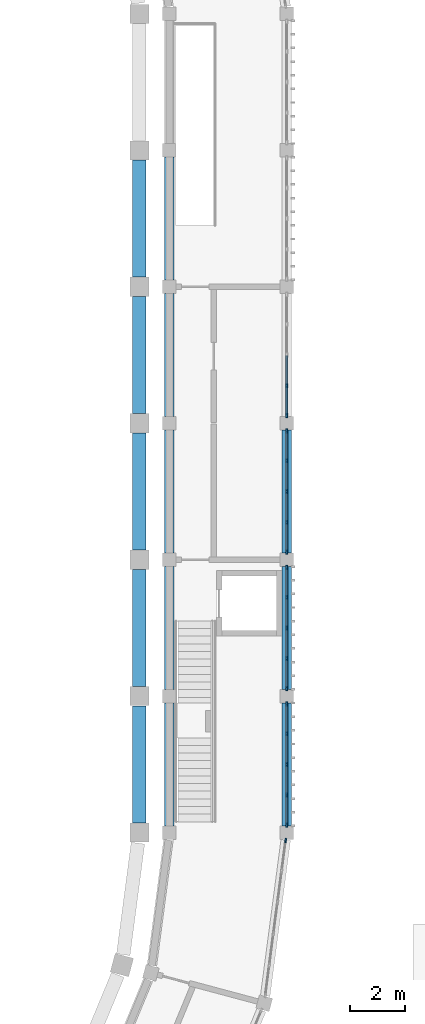
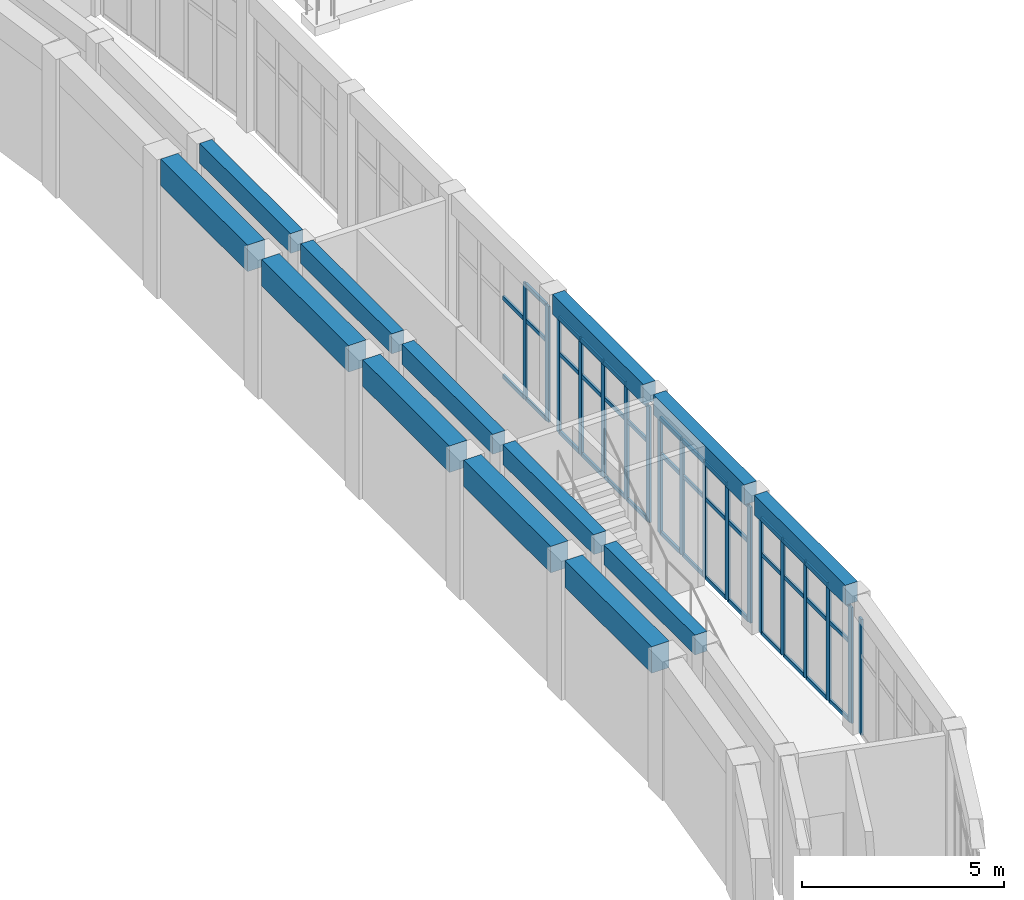
# One storey, part 12 of 99: 59 members, 13 beams, 5 elements without a shape of their own.
"""IFC4 building model written with IfcOpenShell, lengths in metres."""

from ifc_helpers import new_model, si_unit, direction, frame, origin, origin_2d, place, context, subcontext, project, spatial, rectangle, extrude, material, layer, layer_set, material_profile, profile_set, type_object, element, aggregate, save


model = new_model("IFC4")

# Units and contexts
model_context = context("Model", 3, precision=1e-05, world=origin(), true_north=direction((0.0, 1.0)))
body_context = subcontext(model_context, "Body", "Model", "MODEL_VIEW")
ifc_project = project(units=[si_unit("LENGTHUNIT", "METRE"), si_unit("AREAUNIT", "SQUARE_METRE"), si_unit("VOLUMEUNIT", "CUBIC_METRE"), si_unit("PLANEANGLEUNIT", "RADIAN"), si_unit("MASSUNIT", "GRAM", prefix="KILO")], contexts=[model_context])

# Site, building, storey
site_placement = place(None, origin())
site = spatial("IfcSite", under=ifc_project, at=site_placement, CompositionType="ELEMENT")
building_placement = place(site_placement, origin())
building = spatial("IfcBuilding", under=site, at=building_placement, Name="Wasatch Bagh Community Centre", CompositionType="ELEMENT")
storey_placement = place(building_placement, frame((0.0, 0.0, 4.199951171875)))
storey = spatial("IfcBuildingStorey", under=building, at=storey_placement, Name="L01", CompositionType="ELEMENT", Elevation=4.199951171875)

# Curtain wall, member
ifc_material_1 = material(Name="Aluminium curtain wall frame with low-iron insulated glass", Category="aluminium")
ifc_layer_1 = layer(ifc_material_1, 0.14990234375)
ifc_layer_set_1 = layer_set([ifc_layer_1], Name="Aluminium curtain wall frame with low-iron insulated glass")
curtain_wall_type_1 = type_object("IfcCurtainWallType", Name="Drum curtain wall DR-CW2", PredefinedType="NOTDEFINED", material=ifc_layer_set_1)
curtain_wall_1_placement = place(storey_placement, origin())
curtain_wall_1 = element("IfcCurtainWall", 1, at=curtain_wall_1_placement, inside=storey, type_object=curtain_wall_type_1, Name="Curtain wall DR-CW2 12", PredefinedType="NOTDEFINED")
ifc_material_2 = material(Name="Aluminium curtain wall frame", Category="aluminium")
ifc_material_profile_1 = material_profile(ifc_material_2, rectangle(XDim=0.06005859375, YDim=0.159912109375, at=origin_2d()), Name="Drum mullion DR-CW2")
ifc_profile_set_1 = profile_set([ifc_material_profile_1], Name="Aluminium curtain wall frame")
member_type_1 = type_object("IfcMemberType", Name="Drum mullion DR-CW2", PredefinedType="MULLION", material=ifc_profile_set_1)
member_1_placement = place(storey_placement, frame((60.11181640625, 34.7099609375, 0.0), z_axis=(0.0, 0.0, 1.0), x_axis=(-0.991444861378, 0.130526192185, 0.0)))
member_1 = element("IfcMember", 2, at=member_1_placement, type_object=member_type_1, Name="DR-CW2 mullion 6", PredefinedType="MULLION", context=body_context, shape_type="SweptSolid", body=[
    extrude(rectangle(XDim=0.06005859375, YDim=0.159912109375, at=origin_2d()), origin(), (0.0, 0.0, 1.0), 3.5),
])
aggregate(curtain_wall_1, [member_1])

# Curtain wall, members
ifc_layer_2 = layer(ifc_material_1, 0.14990234375)
ifc_layer_set_2 = layer_set([ifc_layer_2], Name="Aluminium curtain wall frame with low-iron insulated glass")
curtain_wall_type_2 = type_object("IfcCurtainWallType", Name="Drum curtain wall DR-CW4", PredefinedType="NOTDEFINED", material=ifc_layer_set_2)
curtain_wall_2_placement = place(storey_placement, origin())
curtain_wall_2 = element("IfcCurtainWall", 3, at=curtain_wall_2_placement, inside=storey, type_object=curtain_wall_type_2, Name="Curtain wall DR-CW4 13", PredefinedType="NOTDEFINED")
ifc_material_profile_2 = material_profile(ifc_material_2, rectangle(XDim=0.06005859375, YDim=0.159912109375, at=origin_2d()), Name="Drum mullion DR-CW4")
ifc_profile_set_2 = profile_set([ifc_material_profile_2], Name="Aluminium curtain wall frame")
member_type_2 = type_object("IfcMemberType", Name="Drum mullion DR-CW4", PredefinedType="MULLION", material=ifc_profile_set_2)
member_2_placement = place(storey_placement, frame((60.14990234375, 35.280517578125, 0.0), z_axis=(0.0, 0.0, 1.0), x_axis=(-1.0, 0.0, 0.0)))
member_2 = element("IfcMember", 4, at=member_2_placement, type_object=member_type_2, Name="DR-CW4 mullion 1", PredefinedType="MULLION", context=body_context, shape_type="SweptSolid", body=[
    extrude(rectangle(XDim=0.06005859375, YDim=0.159912109375, at=origin_2d()), origin(), (0.0, 0.0, 1.0), 3.5),
])
member_3_placement = place(storey_placement, frame((60.14990234375, 36.375244140625, 0.0), z_axis=(0.0, 0.0, 1.0), x_axis=(-1.0, 0.0, 0.0)))
member_3 = element("IfcMember", 5, at=member_3_placement, type_object=member_type_2, Name="DR-CW4 mullion 2", PredefinedType="MULLION", context=body_context, shape_type="SweptSolid", body=[
    extrude(rectangle(XDim=0.06005859375, YDim=0.159912109375, at=origin_2d()), origin(), (0.0, 0.0, 1.0), 3.5),
])
member_4_placement = place(storey_placement, frame((60.14990234375, 37.5, 0.0), z_axis=(0.0, 0.0, 1.0), x_axis=(-1.0, 0.0, 0.0)))
member_4 = element("IfcMember", 6, at=member_4_placement, type_object=member_type_2, Name="DR-CW4 mullion 3", PredefinedType="MULLION", context=body_context, shape_type="SweptSolid", body=[
    extrude(rectangle(XDim=0.06005859375, YDim=0.159912109375, at=origin_2d()), origin(), (0.0, 0.0, 1.0), 3.5),
])
member_5_placement = place(storey_placement, frame((60.14990234375, 38.624755859375, 0.0), z_axis=(0.0, 0.0, 1.0), x_axis=(-1.0, 0.0, 0.0)))
member_5 = element("IfcMember", 7, at=member_5_placement, type_object=member_type_2, Name="DR-CW4 mullion 4", PredefinedType="MULLION", context=body_context, shape_type="SweptSolid", body=[
    extrude(rectangle(XDim=0.06005859375, YDim=0.159912109375, at=origin_2d()), origin(), (0.0, 0.0, 1.0), 3.5),
])
member_6_placement = place(storey_placement, frame((60.14990234375, 39.719482421875, 0.0), z_axis=(0.0, 0.0, 1.0), x_axis=(-1.0, 0.0, 0.0)))
member_6 = element("IfcMember", 8, at=member_6_placement, type_object=member_type_2, Name="DR-CW4 mullion 5", PredefinedType="MULLION", context=body_context, shape_type="SweptSolid", body=[
    extrude(rectangle(XDim=0.06005859375, YDim=0.159912109375, at=origin_2d()), origin(), (0.0, 0.0, 1.0), 3.5),
])

curtain_wall_3_placement = place(storey_placement, origin())
curtain_wall_3 = element("IfcCurtainWall", 9, at=curtain_wall_3_placement, inside=storey, type_object=curtain_wall_type_2, Name="Curtain wall DR-CW4 14", PredefinedType="NOTDEFINED")
member_7_placement = place(storey_placement, frame((60.14990234375, 40.280517578125, 0.0), z_axis=(0.0, 0.0, 1.0), x_axis=(-1.0, 0.0, 0.0)))
member_7 = element("IfcMember", 10, at=member_7_placement, type_object=member_type_2, Name="DR-CW4 mullion 1", PredefinedType="MULLION", context=body_context, shape_type="SweptSolid", body=[
    extrude(rectangle(XDim=0.06005859375, YDim=0.159912109375, at=origin_2d()), origin(), (0.0, 0.0, 1.0), 3.5),
])
member_8_placement = place(storey_placement, frame((60.14990234375, 41.375244140625, 0.0), z_axis=(0.0, 0.0, 1.0), x_axis=(-1.0, 0.0, 0.0)))
member_8 = element("IfcMember", 11, at=member_8_placement, type_object=member_type_2, Name="DR-CW4 mullion 2", PredefinedType="MULLION", context=body_context, shape_type="SweptSolid", body=[
    extrude(rectangle(XDim=0.06005859375, YDim=0.159912109375, at=origin_2d()), origin(), (0.0, 0.0, 1.0), 3.5),
])
member_9_placement = place(storey_placement, frame((60.14990234375, 42.5, 0.0), z_axis=(0.0, 0.0, 1.0), x_axis=(-1.0, 0.0, 0.0)))
member_9 = element("IfcMember", 12, at=member_9_placement, type_object=member_type_2, Name="DR-CW4 mullion 3", PredefinedType="MULLION", context=body_context, shape_type="SweptSolid", body=[
    extrude(rectangle(XDim=0.06005859375, YDim=0.159912109375, at=origin_2d()), origin(), (0.0, 0.0, 1.0), 3.5),
])
member_10_placement = place(storey_placement, frame((60.14990234375, 43.624755859375, 0.0), z_axis=(0.0, 0.0, 1.0), x_axis=(-1.0, 0.0, 0.0)))
member_10 = element("IfcMember", 13, at=member_10_placement, type_object=member_type_2, Name="DR-CW4 mullion 4", PredefinedType="MULLION", context=body_context, shape_type="SweptSolid", body=[
    extrude(rectangle(XDim=0.06005859375, YDim=0.159912109375, at=origin_2d()), origin(), (0.0, 0.0, 1.0), 3.5),
])
member_11_placement = place(storey_placement, frame((60.14990234375, 44.719482421875, 0.0), z_axis=(0.0, 0.0, 1.0), x_axis=(-1.0, 0.0, 0.0)))
member_11 = element("IfcMember", 14, at=member_11_placement, type_object=member_type_2, Name="DR-CW4 mullion 5", PredefinedType="MULLION", context=body_context, shape_type="SweptSolid", body=[
    extrude(rectangle(XDim=0.06005859375, YDim=0.159912109375, at=origin_2d()), origin(), (0.0, 0.0, 1.0), 3.5),
])

curtain_wall_4_placement = place(storey_placement, origin())
curtain_wall_4 = element("IfcCurtainWall", 15, at=curtain_wall_4_placement, inside=storey, type_object=curtain_wall_type_2, Name="Curtain wall DR-CW4 15", PredefinedType="NOTDEFINED")
member_12_placement = place(storey_placement, frame((60.14990234375, 45.280517578125, 0.0), z_axis=(0.0, 0.0, 1.0), x_axis=(-1.0, 0.0, 0.0)))
member_12 = element("IfcMember", 16, at=member_12_placement, type_object=member_type_2, Name="DR-CW4 mullion 1", PredefinedType="MULLION", context=body_context, shape_type="SweptSolid", body=[
    extrude(rectangle(XDim=0.06005859375, YDim=0.159912109375, at=origin_2d()), origin(), (0.0, 0.0, 1.0), 3.5),
])
member_13_placement = place(storey_placement, frame((60.14990234375, 46.375244140625, 0.0), z_axis=(0.0, 0.0, 1.0), x_axis=(-1.0, 0.0, 0.0)))
member_13 = element("IfcMember", 17, at=member_13_placement, type_object=member_type_2, Name="DR-CW4 mullion 2", PredefinedType="MULLION", context=body_context, shape_type="SweptSolid", body=[
    extrude(rectangle(XDim=0.06005859375, YDim=0.159912109375, at=origin_2d()), origin(), (0.0, 0.0, 1.0), 3.5),
])
member_14_placement = place(storey_placement, frame((60.14990234375, 47.5, 0.0), z_axis=(0.0, 0.0, 1.0), x_axis=(-1.0, 0.0, 0.0)))
member_14 = element("IfcMember", 18, at=member_14_placement, type_object=member_type_2, Name="DR-CW4 mullion 3", PredefinedType="MULLION", context=body_context, shape_type="SweptSolid", body=[
    extrude(rectangle(XDim=0.06005859375, YDim=0.159912109375, at=origin_2d()), origin(), (0.0, 0.0, 1.0), 3.5),
])
member_15_placement = place(storey_placement, frame((60.14990234375, 48.624755859375, 0.0), z_axis=(0.0, 0.0, 1.0), x_axis=(-1.0, 0.0, 0.0)))
member_15 = element("IfcMember", 19, at=member_15_placement, type_object=member_type_2, Name="DR-CW4 mullion 4", PredefinedType="MULLION", context=body_context, shape_type="SweptSolid", body=[
    extrude(rectangle(XDim=0.06005859375, YDim=0.159912109375, at=origin_2d()), origin(), (0.0, 0.0, 1.0), 3.5),
])
member_16_placement = place(storey_placement, frame((60.14990234375, 49.719482421875, 0.0), z_axis=(0.0, 0.0, 1.0), x_axis=(-1.0, 0.0, 0.0)))
member_16 = element("IfcMember", 20, at=member_16_placement, type_object=member_type_2, Name="DR-CW4 mullion 5", PredefinedType="MULLION", context=body_context, shape_type="SweptSolid", body=[
    extrude(rectangle(XDim=0.06005859375, YDim=0.159912109375, at=origin_2d()), origin(), (0.0, 0.0, 1.0), 3.5),
])

curtain_wall_5_placement = place(storey_placement, origin())
curtain_wall_5 = element("IfcCurtainWall", 21, at=curtain_wall_5_placement, inside=storey, type_object=curtain_wall_type_2, Name="Curtain wall DR-CW4 16", PredefinedType="NOTDEFINED")
member_17_placement = place(storey_placement, frame((60.14990234375, 50.280517578125, 0.0), z_axis=(0.0, 0.0, 1.0), x_axis=(-1.0, 0.0, 0.0)))
member_17 = element("IfcMember", 22, at=member_17_placement, type_object=member_type_2, Name="DR-CW4 mullion 1", PredefinedType="MULLION", context=body_context, shape_type="SweptSolid", body=[
    extrude(rectangle(XDim=0.06005859375, YDim=0.159912109375, at=origin_2d()), origin(), (0.0, 0.0, 1.0), 3.5),
])
member_18_placement = place(storey_placement, frame((60.14990234375, 51.375244140625, 0.0), z_axis=(0.0, 0.0, 1.0), x_axis=(-1.0, 0.0, 0.0)))
member_18 = element("IfcMember", 23, at=member_18_placement, type_object=member_type_2, Name="DR-CW4 mullion 2", PredefinedType="MULLION", context=body_context, shape_type="SweptSolid", body=[
    extrude(rectangle(XDim=0.06005859375, YDim=0.159912109375, at=origin_2d()), origin(), (0.0, 0.0, 1.0), 3.5),
])

# Beams
ifc_material_3 = material(Name="Concrete C35", Category="concrete")
ifc_material_profile_3 = material_profile(ifc_material_3, rectangle(XDim=0.35009765625, YDim=0.60009765625, at=origin_2d()), Name="RC 350x600")
ifc_profile_set_3 = profile_set([ifc_material_profile_3], Name="Concrete C35")
beam_type_1 = type_object("IfcBeamType", Name="Drum ring beam RC 350x600", PredefinedType="BEAM", material=ifc_profile_set_3)
for number, where, z_axis, x_axis, name in (
    (24, (55.85009765625, 35.25048828125, 3.900146484375), (0.0, 1.0, 0.0), (-1.0, 0.0, 0.0), "Ring beam 8.4 DI-E1-DI-E2"),
    (25, (55.85009765625, 40.25048828125, 3.900146484375), (0.0, 1.0, 0.0), (-1.0, 0.0, 0.0), "Ring beam 8.4 DI-E2-DI-E3"),
    (26, (55.85009765625, 45.25048828125, 3.900146484375), (0.0, 1.0, 0.0), (-1.0, 0.0, 0.0), "Ring beam 8.4 DI-E3-DI-E4"),
    (27, (55.85009765625, 50.25048828125, 3.900146484375), (0.0, 1.0, 0.0), (-1.0, 0.0, 0.0), "Ring beam 8.4 DI-E4-DI-E5"),
    (28, (55.85009765625, 55.25048828125, 3.900146484375), (0.0, 1.0, 0.0), (-1.0, 0.0, 0.0), "Ring beam 8.4 DI-E5-DI-E6"),
    (29, (60.14990234375, 35.25048828125, 3.900146484375), (0.0, 1.0, 0.0), (-1.0, 0.0, 0.0), "Ring beam 8.4 DO-E1-DO-E2"),
    (30, (60.14990234375, 40.25048828125, 3.900146484375), (0.0, 1.0, 0.0), (-1.0, 0.0, 0.0), "Ring beam 8.4 DO-E2-DO-E3"),
    (31, (60.14990234375, 45.25048828125, 3.900146484375), (0.0, 1.0, 0.0), (-1.0, 0.0, 0.0), "Ring beam 8.4 DO-E3-DO-E4"),
):
    element("IfcBeam", number, at=place(storey_placement, frame(where, z_axis=z_axis, x_axis=x_axis)), inside=storey, type_object=beam_type_1, Name=name, PredefinedType="BEAM", context=body_context, shape_type="SweptSolid", body=[
        extrude(rectangle(XDim=0.35009765625, YDim=0.60009765625, at=origin_2d()), origin(), (0.0, 0.0, 1.0), 4.4990234375),
    ])

# Member
ifc_material_profile_4 = material_profile(ifc_material_2, rectangle(XDim=0.06005859375, YDim=0.1201171875, at=origin_2d()), Name="Drum transom DR-CW4")
ifc_profile_set_4 = profile_set([ifc_material_profile_4], Name="Aluminium curtain wall frame")
member_type_3 = type_object("IfcMemberType", Name="Drum transom DR-CW4", PredefinedType="USERDEFINED", material=ifc_profile_set_4)
member_19_placement = place(storey_placement, frame((60.14990234375, 35.310546875, 0.030029296875), z_axis=(0.0, 1.0, 0.0), x_axis=(-1.0, 0.0, 0.0)))
member_19 = element("IfcMember", 32, at=member_19_placement, type_object=member_type_3, Name="DR-CW4 transom 1.1", ObjectType="TRANSOM", PredefinedType="USERDEFINED", context=body_context, shape_type="SweptSolid", body=[
    extrude(rectangle(XDim=0.06005859375, YDim=0.1201171875, at=origin_2d()), origin(), (0.0, 0.0, 1.0), 1.03466796875),
])

member_20_placement = place(storey_placement, frame((60.14990234375, 35.310546875, 2.400146484375), z_axis=(0.0, 1.0, 0.0), x_axis=(-1.0, 0.0, 0.0)))
member_20 = element("IfcMember", 33, at=member_20_placement, type_object=member_type_3, Name="DR-CW4 transom 1.2", ObjectType="TRANSOM", PredefinedType="USERDEFINED", context=body_context, shape_type="SweptSolid", body=[
    extrude(rectangle(XDim=0.06005859375, YDim=0.1201171875, at=origin_2d()), origin(), (0.0, 0.0, 1.0), 1.03466796875),
])

member_21_placement = place(storey_placement, frame((60.14990234375, 35.310546875, 3.469970703125), z_axis=(0.0, 1.0, 0.0), x_axis=(-1.0, 0.0, 0.0)))
member_21 = element("IfcMember", 34, at=member_21_placement, type_object=member_type_3, Name="DR-CW4 transom 1.3", ObjectType="TRANSOM", PredefinedType="USERDEFINED", context=body_context, shape_type="SweptSolid", body=[
    extrude(rectangle(XDim=0.06005859375, YDim=0.1201171875, at=origin_2d()), origin(), (0.0, 0.0, 1.0), 1.03466796875),
])

member_22_placement = place(storey_placement, frame((60.14990234375, 36.4052734375, 0.030029296875), z_axis=(0.0, 1.0, 0.0), x_axis=(-1.0, 0.0, 0.0)))
member_22 = element("IfcMember", 35, at=member_22_placement, type_object=member_type_3, Name="DR-CW4 transom 2.1", ObjectType="TRANSOM", PredefinedType="USERDEFINED", context=body_context, shape_type="SweptSolid", body=[
    extrude(rectangle(XDim=0.06005859375, YDim=0.1201171875, at=origin_2d()), origin(), (0.0, 0.0, 1.0), 1.064697265625),
])

member_23_placement = place(storey_placement, frame((60.14990234375, 36.4052734375, 2.400146484375), z_axis=(0.0, 1.0, 0.0), x_axis=(-1.0, 0.0, 0.0)))
member_23 = element("IfcMember", 36, at=member_23_placement, type_object=member_type_3, Name="DR-CW4 transom 2.2", ObjectType="TRANSOM", PredefinedType="USERDEFINED", context=body_context, shape_type="SweptSolid", body=[
    extrude(rectangle(XDim=0.06005859375, YDim=0.1201171875, at=origin_2d()), origin(), (0.0, 0.0, 1.0), 1.064697265625),
])

member_24_placement = place(storey_placement, frame((60.14990234375, 36.4052734375, 3.469970703125), z_axis=(0.0, 1.0, 0.0), x_axis=(-1.0, 0.0, 0.0)))
member_24 = element("IfcMember", 37, at=member_24_placement, type_object=member_type_3, Name="DR-CW4 transom 2.3", ObjectType="TRANSOM", PredefinedType="USERDEFINED", context=body_context, shape_type="SweptSolid", body=[
    extrude(rectangle(XDim=0.06005859375, YDim=0.1201171875, at=origin_2d()), origin(), (0.0, 0.0, 1.0), 1.064697265625),
])

member_25_placement = place(storey_placement, frame((60.14990234375, 37.530029296875, 0.030029296875), z_axis=(0.0, 1.0, 0.0), x_axis=(-1.0, 0.0, 0.0)))
member_25 = element("IfcMember", 38, at=member_25_placement, type_object=member_type_3, Name="DR-CW4 transom 3.1", ObjectType="TRANSOM", PredefinedType="USERDEFINED", context=body_context, shape_type="SweptSolid", body=[
    extrude(rectangle(XDim=0.06005859375, YDim=0.1201171875, at=origin_2d()), origin(), (0.0, 0.0, 1.0), 1.064697265625),
])

member_26_placement = place(storey_placement, frame((60.14990234375, 37.530029296875, 2.400146484375), z_axis=(0.0, 1.0, 0.0), x_axis=(-1.0, 0.0, 0.0)))
member_26 = element("IfcMember", 39, at=member_26_placement, type_object=member_type_3, Name="DR-CW4 transom 3.2", ObjectType="TRANSOM", PredefinedType="USERDEFINED", context=body_context, shape_type="SweptSolid", body=[
    extrude(rectangle(XDim=0.06005859375, YDim=0.1201171875, at=origin_2d()), origin(), (0.0, 0.0, 1.0), 1.064697265625),
])

member_27_placement = place(storey_placement, frame((60.14990234375, 37.530029296875, 3.469970703125), z_axis=(0.0, 1.0, 0.0), x_axis=(-1.0, 0.0, 0.0)))
member_27 = element("IfcMember", 40, at=member_27_placement, type_object=member_type_3, Name="DR-CW4 transom 3.3", ObjectType="TRANSOM", PredefinedType="USERDEFINED", context=body_context, shape_type="SweptSolid", body=[
    extrude(rectangle(XDim=0.06005859375, YDim=0.1201171875, at=origin_2d()), origin(), (0.0, 0.0, 1.0), 1.064697265625),
])

member_28_placement = place(storey_placement, frame((60.14990234375, 38.65478515625, 0.030029296875), z_axis=(0.0, 1.0, 0.0), x_axis=(-1.0, 0.0, 0.0)))
member_28 = element("IfcMember", 41, at=member_28_placement, type_object=member_type_3, Name="DR-CW4 transom 4.1", ObjectType="TRANSOM", PredefinedType="USERDEFINED", context=body_context, shape_type="SweptSolid", body=[
    extrude(rectangle(XDim=0.06005859375, YDim=0.1201171875, at=origin_2d()), origin(), (0.0, 0.0, 1.0), 1.03466796875),
])

member_29_placement = place(storey_placement, frame((60.14990234375, 38.65478515625, 2.400146484375), z_axis=(0.0, 1.0, 0.0), x_axis=(-1.0, 0.0, 0.0)))
member_29 = element("IfcMember", 42, at=member_29_placement, type_object=member_type_3, Name="DR-CW4 transom 4.2", ObjectType="TRANSOM", PredefinedType="USERDEFINED", context=body_context, shape_type="SweptSolid", body=[
    extrude(rectangle(XDim=0.06005859375, YDim=0.1201171875, at=origin_2d()), origin(), (0.0, 0.0, 1.0), 1.03466796875),
])

member_30_placement = place(storey_placement, frame((60.14990234375, 38.65478515625, 3.469970703125), z_axis=(0.0, 1.0, 0.0), x_axis=(-1.0, 0.0, 0.0)))
member_30 = element("IfcMember", 43, at=member_30_placement, type_object=member_type_3, Name="DR-CW4 transom 4.3", ObjectType="TRANSOM", PredefinedType="USERDEFINED", context=body_context, shape_type="SweptSolid", body=[
    extrude(rectangle(XDim=0.06005859375, YDim=0.1201171875, at=origin_2d()), origin(), (0.0, 0.0, 1.0), 1.03466796875),
])

aggregate(curtain_wall_2, [member_2, member_3, member_4, member_5, member_6, member_19, member_20, member_21, member_22, member_23, member_24, member_25, member_26, member_27, member_28, member_29, member_30])

member_31_placement = place(storey_placement, frame((60.14990234375, 40.310546875, 0.030029296875), z_axis=(0.0, 1.0, 0.0), x_axis=(-1.0, 0.0, 0.0)))
member_31 = element("IfcMember", 44, at=member_31_placement, type_object=member_type_3, Name="DR-CW4 transom 1.1", ObjectType="TRANSOM", PredefinedType="USERDEFINED", context=body_context, shape_type="SweptSolid", body=[
    extrude(rectangle(XDim=0.06005859375, YDim=0.1201171875, at=origin_2d()), origin(), (0.0, 0.0, 1.0), 1.03466796875),
])

member_32_placement = place(storey_placement, frame((60.14990234375, 40.310546875, 2.400146484375), z_axis=(0.0, 1.0, 0.0), x_axis=(-1.0, 0.0, 0.0)))
member_32 = element("IfcMember", 45, at=member_32_placement, type_object=member_type_3, Name="DR-CW4 transom 1.2", ObjectType="TRANSOM", PredefinedType="USERDEFINED", context=body_context, shape_type="SweptSolid", body=[
    extrude(rectangle(XDim=0.06005859375, YDim=0.1201171875, at=origin_2d()), origin(), (0.0, 0.0, 1.0), 1.03466796875),
])

member_33_placement = place(storey_placement, frame((60.14990234375, 40.310546875, 3.469970703125), z_axis=(0.0, 1.0, 0.0), x_axis=(-1.0, 0.0, 0.0)))
member_33 = element("IfcMember", 46, at=member_33_placement, type_object=member_type_3, Name="DR-CW4 transom 1.3", ObjectType="TRANSOM", PredefinedType="USERDEFINED", context=body_context, shape_type="SweptSolid", body=[
    extrude(rectangle(XDim=0.06005859375, YDim=0.1201171875, at=origin_2d()), origin(), (0.0, 0.0, 1.0), 1.03466796875),
])

member_34_placement = place(storey_placement, frame((60.14990234375, 41.4052734375, 0.030029296875), z_axis=(0.0, 1.0, 0.0), x_axis=(-1.0, 0.0, 0.0)))
member_34 = element("IfcMember", 47, at=member_34_placement, type_object=member_type_3, Name="DR-CW4 transom 2.1", ObjectType="TRANSOM", PredefinedType="USERDEFINED", context=body_context, shape_type="SweptSolid", body=[
    extrude(rectangle(XDim=0.06005859375, YDim=0.1201171875, at=origin_2d()), origin(), (0.0, 0.0, 1.0), 1.064697265625),
])

member_35_placement = place(storey_placement, frame((60.14990234375, 41.4052734375, 2.400146484375), z_axis=(0.0, 1.0, 0.0), x_axis=(-1.0, 0.0, 0.0)))
member_35 = element("IfcMember", 48, at=member_35_placement, type_object=member_type_3, Name="DR-CW4 transom 2.2", ObjectType="TRANSOM", PredefinedType="USERDEFINED", context=body_context, shape_type="SweptSolid", body=[
    extrude(rectangle(XDim=0.06005859375, YDim=0.1201171875, at=origin_2d()), origin(), (0.0, 0.0, 1.0), 1.064697265625),
])

member_36_placement = place(storey_placement, frame((60.14990234375, 41.4052734375, 3.469970703125), z_axis=(0.0, 1.0, 0.0), x_axis=(-1.0, 0.0, 0.0)))
member_36 = element("IfcMember", 49, at=member_36_placement, type_object=member_type_3, Name="DR-CW4 transom 2.3", ObjectType="TRANSOM", PredefinedType="USERDEFINED", context=body_context, shape_type="SweptSolid", body=[
    extrude(rectangle(XDim=0.06005859375, YDim=0.1201171875, at=origin_2d()), origin(), (0.0, 0.0, 1.0), 1.064697265625),
])

member_37_placement = place(storey_placement, frame((60.14990234375, 42.530029296875, 0.030029296875), z_axis=(0.0, 1.0, 0.0), x_axis=(-1.0, 0.0, 0.0)))
member_37 = element("IfcMember", 50, at=member_37_placement, type_object=member_type_3, Name="DR-CW4 transom 3.1", ObjectType="TRANSOM", PredefinedType="USERDEFINED", context=body_context, shape_type="SweptSolid", body=[
    extrude(rectangle(XDim=0.06005859375, YDim=0.1201171875, at=origin_2d()), origin(), (0.0, 0.0, 1.0), 1.064697265625),
])

member_38_placement = place(storey_placement, frame((60.14990234375, 42.530029296875, 2.400146484375), z_axis=(0.0, 1.0, 0.0), x_axis=(-1.0, 0.0, 0.0)))
member_38 = element("IfcMember", 51, at=member_38_placement, type_object=member_type_3, Name="DR-CW4 transom 3.2", ObjectType="TRANSOM", PredefinedType="USERDEFINED", context=body_context, shape_type="SweptSolid", body=[
    extrude(rectangle(XDim=0.06005859375, YDim=0.1201171875, at=origin_2d()), origin(), (0.0, 0.0, 1.0), 1.064697265625),
])

member_39_placement = place(storey_placement, frame((60.14990234375, 42.530029296875, 3.469970703125), z_axis=(0.0, 1.0, 0.0), x_axis=(-1.0, 0.0, 0.0)))
member_39 = element("IfcMember", 52, at=member_39_placement, type_object=member_type_3, Name="DR-CW4 transom 3.3", ObjectType="TRANSOM", PredefinedType="USERDEFINED", context=body_context, shape_type="SweptSolid", body=[
    extrude(rectangle(XDim=0.06005859375, YDim=0.1201171875, at=origin_2d()), origin(), (0.0, 0.0, 1.0), 1.064697265625),
])

member_40_placement = place(storey_placement, frame((60.14990234375, 43.65478515625, 0.030029296875), z_axis=(0.0, 1.0, 0.0), x_axis=(-1.0, 0.0, 0.0)))
member_40 = element("IfcMember", 53, at=member_40_placement, type_object=member_type_3, Name="DR-CW4 transom 4.1", ObjectType="TRANSOM", PredefinedType="USERDEFINED", context=body_context, shape_type="SweptSolid", body=[
    extrude(rectangle(XDim=0.06005859375, YDim=0.1201171875, at=origin_2d()), origin(), (0.0, 0.0, 1.0), 1.03466796875),
])

member_41_placement = place(storey_placement, frame((60.14990234375, 43.65478515625, 2.400146484375), z_axis=(0.0, 1.0, 0.0), x_axis=(-1.0, 0.0, 0.0)))
member_41 = element("IfcMember", 54, at=member_41_placement, type_object=member_type_3, Name="DR-CW4 transom 4.2", ObjectType="TRANSOM", PredefinedType="USERDEFINED", context=body_context, shape_type="SweptSolid", body=[
    extrude(rectangle(XDim=0.06005859375, YDim=0.1201171875, at=origin_2d()), origin(), (0.0, 0.0, 1.0), 1.03466796875),
])

member_42_placement = place(storey_placement, frame((60.14990234375, 43.65478515625, 3.469970703125), z_axis=(0.0, 1.0, 0.0), x_axis=(-1.0, 0.0, 0.0)))
member_42 = element("IfcMember", 55, at=member_42_placement, type_object=member_type_3, Name="DR-CW4 transom 4.3", ObjectType="TRANSOM", PredefinedType="USERDEFINED", context=body_context, shape_type="SweptSolid", body=[
    extrude(rectangle(XDim=0.06005859375, YDim=0.1201171875, at=origin_2d()), origin(), (0.0, 0.0, 1.0), 1.03466796875),
])

aggregate(curtain_wall_3, [member_7, member_8, member_9, member_10, member_11, member_31, member_32, member_33, member_34, member_35, member_36, member_37, member_38, member_39, member_40, member_41, member_42])

member_43_placement = place(storey_placement, frame((60.14990234375, 45.310546875, 0.030029296875), z_axis=(0.0, 1.0, 0.0), x_axis=(-1.0, 0.0, 0.0)))
member_43 = element("IfcMember", 56, at=member_43_placement, type_object=member_type_3, Name="DR-CW4 transom 1.1", ObjectType="TRANSOM", PredefinedType="USERDEFINED", context=body_context, shape_type="SweptSolid", body=[
    extrude(rectangle(XDim=0.06005859375, YDim=0.1201171875, at=origin_2d()), origin(), (0.0, 0.0, 1.0), 1.03466796875),
])

member_44_placement = place(storey_placement, frame((60.14990234375, 45.310546875, 2.400146484375), z_axis=(0.0, 1.0, 0.0), x_axis=(-1.0, 0.0, 0.0)))
member_44 = element("IfcMember", 57, at=member_44_placement, type_object=member_type_3, Name="DR-CW4 transom 1.2", ObjectType="TRANSOM", PredefinedType="USERDEFINED", context=body_context, shape_type="SweptSolid", body=[
    extrude(rectangle(XDim=0.06005859375, YDim=0.1201171875, at=origin_2d()), origin(), (0.0, 0.0, 1.0), 1.03466796875),
])

member_45_placement = place(storey_placement, frame((60.14990234375, 45.310546875, 3.469970703125), z_axis=(0.0, 1.0, 0.0), x_axis=(-1.0, 0.0, 0.0)))
member_45 = element("IfcMember", 58, at=member_45_placement, type_object=member_type_3, Name="DR-CW4 transom 1.3", ObjectType="TRANSOM", PredefinedType="USERDEFINED", context=body_context, shape_type="SweptSolid", body=[
    extrude(rectangle(XDim=0.06005859375, YDim=0.1201171875, at=origin_2d()), origin(), (0.0, 0.0, 1.0), 1.03466796875),
])

member_46_placement = place(storey_placement, frame((60.14990234375, 46.4052734375, 0.030029296875), z_axis=(0.0, 1.0, 0.0), x_axis=(-1.0, 0.0, 0.0)))
member_46 = element("IfcMember", 59, at=member_46_placement, type_object=member_type_3, Name="DR-CW4 transom 2.1", ObjectType="TRANSOM", PredefinedType="USERDEFINED", context=body_context, shape_type="SweptSolid", body=[
    extrude(rectangle(XDim=0.06005859375, YDim=0.1201171875, at=origin_2d()), origin(), (0.0, 0.0, 1.0), 1.064697265625),
])

member_47_placement = place(storey_placement, frame((60.14990234375, 46.4052734375, 2.400146484375), z_axis=(0.0, 1.0, 0.0), x_axis=(-1.0, 0.0, 0.0)))
member_47 = element("IfcMember", 60, at=member_47_placement, type_object=member_type_3, Name="DR-CW4 transom 2.2", ObjectType="TRANSOM", PredefinedType="USERDEFINED", context=body_context, shape_type="SweptSolid", body=[
    extrude(rectangle(XDim=0.06005859375, YDim=0.1201171875, at=origin_2d()), origin(), (0.0, 0.0, 1.0), 1.064697265625),
])

member_48_placement = place(storey_placement, frame((60.14990234375, 46.4052734375, 3.469970703125), z_axis=(0.0, 1.0, 0.0), x_axis=(-1.0, 0.0, 0.0)))
member_48 = element("IfcMember", 61, at=member_48_placement, type_object=member_type_3, Name="DR-CW4 transom 2.3", ObjectType="TRANSOM", PredefinedType="USERDEFINED", context=body_context, shape_type="SweptSolid", body=[
    extrude(rectangle(XDim=0.06005859375, YDim=0.1201171875, at=origin_2d()), origin(), (0.0, 0.0, 1.0), 1.064697265625),
])

member_49_placement = place(storey_placement, frame((60.14990234375, 47.530029296875, 0.030029296875), z_axis=(0.0, 1.0, 0.0), x_axis=(-1.0, 0.0, 0.0)))
member_49 = element("IfcMember", 62, at=member_49_placement, type_object=member_type_3, Name="DR-CW4 transom 3.1", ObjectType="TRANSOM", PredefinedType="USERDEFINED", context=body_context, shape_type="SweptSolid", body=[
    extrude(rectangle(XDim=0.06005859375, YDim=0.1201171875, at=origin_2d()), origin(), (0.0, 0.0, 1.0), 1.064697265625),
])

member_50_placement = place(storey_placement, frame((60.14990234375, 47.530029296875, 2.400146484375), z_axis=(0.0, 1.0, 0.0), x_axis=(-1.0, 0.0, 0.0)))
member_50 = element("IfcMember", 63, at=member_50_placement, type_object=member_type_3, Name="DR-CW4 transom 3.2", ObjectType="TRANSOM", PredefinedType="USERDEFINED", context=body_context, shape_type="SweptSolid", body=[
    extrude(rectangle(XDim=0.06005859375, YDim=0.1201171875, at=origin_2d()), origin(), (0.0, 0.0, 1.0), 1.064697265625),
])

member_51_placement = place(storey_placement, frame((60.14990234375, 47.530029296875, 3.469970703125), z_axis=(0.0, 1.0, 0.0), x_axis=(-1.0, 0.0, 0.0)))
member_51 = element("IfcMember", 64, at=member_51_placement, type_object=member_type_3, Name="DR-CW4 transom 3.3", ObjectType="TRANSOM", PredefinedType="USERDEFINED", context=body_context, shape_type="SweptSolid", body=[
    extrude(rectangle(XDim=0.06005859375, YDim=0.1201171875, at=origin_2d()), origin(), (0.0, 0.0, 1.0), 1.064697265625),
])

member_52_placement = place(storey_placement, frame((60.14990234375, 48.65478515625, 0.030029296875), z_axis=(0.0, 1.0, 0.0), x_axis=(-1.0, 0.0, 0.0)))
member_52 = element("IfcMember", 65, at=member_52_placement, type_object=member_type_3, Name="DR-CW4 transom 4.1", ObjectType="TRANSOM", PredefinedType="USERDEFINED", context=body_context, shape_type="SweptSolid", body=[
    extrude(rectangle(XDim=0.06005859375, YDim=0.1201171875, at=origin_2d()), origin(), (0.0, 0.0, 1.0), 1.03466796875),
])

member_53_placement = place(storey_placement, frame((60.14990234375, 48.65478515625, 2.400146484375), z_axis=(0.0, 1.0, 0.0), x_axis=(-1.0, 0.0, 0.0)))
member_53 = element("IfcMember", 66, at=member_53_placement, type_object=member_type_3, Name="DR-CW4 transom 4.2", ObjectType="TRANSOM", PredefinedType="USERDEFINED", context=body_context, shape_type="SweptSolid", body=[
    extrude(rectangle(XDim=0.06005859375, YDim=0.1201171875, at=origin_2d()), origin(), (0.0, 0.0, 1.0), 1.03466796875),
])

member_54_placement = place(storey_placement, frame((60.14990234375, 48.65478515625, 3.469970703125), z_axis=(0.0, 1.0, 0.0), x_axis=(-1.0, 0.0, 0.0)))
member_54 = element("IfcMember", 67, at=member_54_placement, type_object=member_type_3, Name="DR-CW4 transom 4.3", ObjectType="TRANSOM", PredefinedType="USERDEFINED", context=body_context, shape_type="SweptSolid", body=[
    extrude(rectangle(XDim=0.06005859375, YDim=0.1201171875, at=origin_2d()), origin(), (0.0, 0.0, 1.0), 1.03466796875),
])

aggregate(curtain_wall_4, [member_12, member_13, member_14, member_15, member_16, member_43, member_44, member_45, member_46, member_47, member_48, member_49, member_50, member_51, member_52, member_53, member_54])

member_55_placement = place(storey_placement, frame((60.14990234375, 50.310546875, 0.030029296875), z_axis=(0.0, 1.0, 0.0), x_axis=(-1.0, 0.0, 0.0)))
member_55 = element("IfcMember", 68, at=member_55_placement, type_object=member_type_3, Name="DR-CW4 transom 1.1", ObjectType="TRANSOM", PredefinedType="USERDEFINED", context=body_context, shape_type="SweptSolid", body=[
    extrude(rectangle(XDim=0.06005859375, YDim=0.1201171875, at=origin_2d()), origin(), (0.0, 0.0, 1.0), 1.03466796875),
])

member_56_placement = place(storey_placement, frame((60.14990234375, 50.310546875, 2.400146484375), z_axis=(0.0, 1.0, 0.0), x_axis=(-1.0, 0.0, 0.0)))
member_56 = element("IfcMember", 69, at=member_56_placement, type_object=member_type_3, Name="DR-CW4 transom 1.2", ObjectType="TRANSOM", PredefinedType="USERDEFINED", context=body_context, shape_type="SweptSolid", body=[
    extrude(rectangle(XDim=0.06005859375, YDim=0.1201171875, at=origin_2d()), origin(), (0.0, 0.0, 1.0), 1.03466796875),
])

member_57_placement = place(storey_placement, frame((60.14990234375, 50.310546875, 3.469970703125), z_axis=(0.0, 1.0, 0.0), x_axis=(-1.0, 0.0, 0.0)))
member_57 = element("IfcMember", 70, at=member_57_placement, type_object=member_type_3, Name="DR-CW4 transom 1.3", ObjectType="TRANSOM", PredefinedType="USERDEFINED", context=body_context, shape_type="SweptSolid", body=[
    extrude(rectangle(XDim=0.06005859375, YDim=0.1201171875, at=origin_2d()), origin(), (0.0, 0.0, 1.0), 1.03466796875),
])

member_58_placement = place(storey_placement, frame((60.14990234375, 51.4052734375, 0.030029296875), z_axis=(0.0, 1.0, 0.0), x_axis=(-1.0, 0.0, 0.0)))
member_58 = element("IfcMember", 71, at=member_58_placement, type_object=member_type_3, Name="DR-CW4 transom 2.1", ObjectType="TRANSOM", PredefinedType="USERDEFINED", context=body_context, shape_type="SweptSolid", body=[
    extrude(rectangle(XDim=0.06005859375, YDim=0.1201171875, at=origin_2d()), origin(), (0.0, 0.0, 1.0), 1.064697265625),
])

member_59_placement = place(storey_placement, frame((60.14990234375, 51.4052734375, 2.400146484375), z_axis=(0.0, 1.0, 0.0), x_axis=(-1.0, 0.0, 0.0)))
member_59 = element("IfcMember", 72, at=member_59_placement, type_object=member_type_3, Name="DR-CW4 transom 2.2", ObjectType="TRANSOM", PredefinedType="USERDEFINED", context=body_context, shape_type="SweptSolid", body=[
    extrude(rectangle(XDim=0.06005859375, YDim=0.1201171875, at=origin_2d()), origin(), (0.0, 0.0, 1.0), 1.064697265625),
])

aggregate(curtain_wall_5, [member_17, member_18, member_55, member_56, member_57, member_58, member_59])

# Beams
ifc_material_profile_5 = material_profile(ifc_material_3, rectangle(XDim=0.5, YDim=0.800048828125, at=origin_2d()), Name="RC 500x800")
ifc_profile_set_5 = profile_set([ifc_material_profile_5], Name="Concrete C35")
beam_type_2 = type_object("IfcBeamType", Name="MH ring beam RC 500x800", PredefinedType="BEAM", material=ifc_profile_set_5)
for number, where, z_axis, x_axis, name in (
    (73, (54.75, 35.3505859375, 3.800048828125), (0.0, 1.0, 0.0), (-1.0, 0.0, 0.0), "Ring beam 8.4 E1-E2"),
    (74, (54.75, 40.3505859375, 3.800048828125), (0.0, 1.0, 0.0), (-1.0, 0.0, 0.0), "Ring beam 8.4 E2-E3"),
    (75, (54.75, 45.3505859375, 3.800048828125), (0.0, 1.0, 0.0), (-1.0, 0.0, 0.0), "Ring beam 8.4 E3-E4"),
    (76, (54.75, 50.3505859375, 3.800048828125), (0.0, 1.0, 0.0), (-1.0, 0.0, 0.0), "Ring beam 8.4 E4-E5"),
    (77, (54.75, 55.3505859375, 3.800048828125), (0.0, 1.0, 0.0), (-1.0, 0.0, 0.0), "Ring beam 8.4 E5-E6"),
):
    element("IfcBeam", number, at=place(storey_placement, frame(where, z_axis=z_axis, x_axis=x_axis)), inside=storey, type_object=beam_type_2, Name=name, PredefinedType="BEAM", context=body_context, shape_type="SweptSolid", body=[
        extrude(rectangle(XDim=0.5, YDim=0.800048828125, at=origin_2d()), origin(), (0.0, 0.0, 1.0), 4.298828125),
    ])

save(model, "model.ifc")
